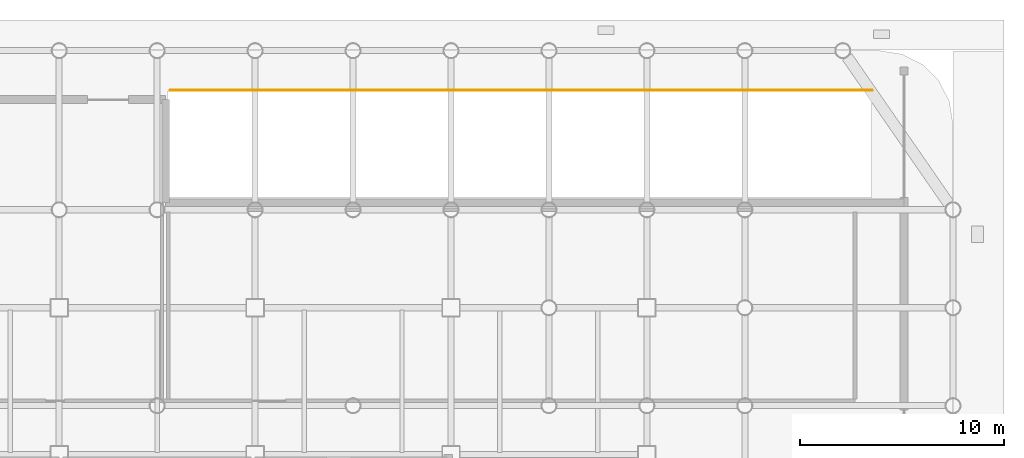
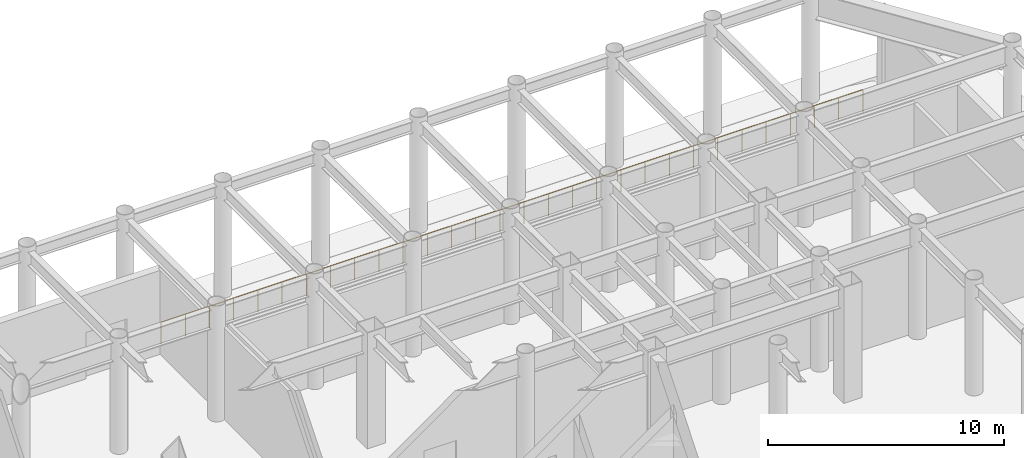
# One storey, part 22 of 23: 1 railing.
"""IFC4 building model written with IfcOpenShell, lengths in metres."""

from ifc_helpers import new_model, si_unit, direction, frame, origin, origin_2d, place, context, subcontext, project, spatial, circle, extrude, material, layer, layer_set, type_object, element, save


model = new_model("IFC4")

# Units and contexts
model_context = context("Model", 3, precision=1e-05, world=origin(), true_north=direction((0.0, 1.0)))
body_context = subcontext(model_context, "Body", "Model", "MODEL_VIEW")
ifc_project = project(units=[si_unit("LENGTHUNIT", "METRE"), si_unit("AREAUNIT", "SQUARE_METRE"), si_unit("VOLUMEUNIT", "CUBIC_METRE"), si_unit("PLANEANGLEUNIT", "RADIAN"), si_unit("MASSUNIT", "GRAM", prefix="KILO")], contexts=[model_context])

# Site, building, storey
site_placement = place(None, origin())
site = spatial("IfcSite", under=ifc_project, at=site_placement, CompositionType="ELEMENT")
building_placement = place(site_placement, origin())
building = spatial("IfcBuilding", under=site, at=building_placement, Name="Kallvorn Hotel Tower", CompositionType="ELEMENT")
storey_placement = place(building_placement, origin())
storey = spatial("IfcBuildingStorey", under=building, at=storey_placement, Name="L00", CompositionType="ELEMENT", Elevation=0.0)

# Railing
ifc_material = material(Name="Galvanised painted steel S275JR balustrade", Category="steel")
ifc_layer = layer(ifc_material, 0.06005859375)
ifc_layer_set = layer_set([ifc_layer], Name="RL_WIND_GUARD_1150")
railing_type = type_object("IfcRailingType", Name="RL_WIND_GUARD_1150", PredefinedType="GUARDRAIL", material=ifc_layer_set)
railing_placement = place(storey_placement, frame((35.050048828125, 25.050048828125, 0.0)))
element("IfcRailing", 1, at=railing_placement, inside=storey, type_object=railing_type, Name="L00 Exterior Safety Guardrail RAMP-OPEN-L00-01", PredefinedType="GUARDRAIL", context=body_context, shape_type="SweptSolid", body=[
    extrude(circle(Radius=0.02392578125, at=origin_2d()), frame((0.0, 0.0, 1.1259765625), z_axis=(-1.0, 0.0, 0.0), x_axis=(0.0, -1.0, 0.0)), (0.0, 0.0, 1.0), 34.400146484375),
    extrude(circle(Radius=0.02099609375, at=origin_2d()), origin(), (0.0, 0.0, 1.0), 1.101806640625),
    extrude(circle(Radius=0.02099609375, at=origin_2d()), frame((-1.186279296875, 0.0, 0.0)), (0.0, 0.0, 1.0), 1.101806640625),
    extrude(circle(Radius=0.02099609375, at=origin_2d()), frame((-2.372314453125, 0.0, 0.0)), (0.0, 0.0, 1.0), 1.101806640625),
    extrude(circle(Radius=0.02099609375, at=origin_2d()), frame((-3.55859375, 0.0, 0.0)), (0.0, 0.0, 1.0), 1.101806640625),
    extrude(circle(Radius=0.02099609375, at=origin_2d()), frame((-4.744873046875, 0.0, 0.0)), (0.0, 0.0, 1.0), 1.101806640625),
    extrude(circle(Radius=0.02099609375, at=origin_2d()), frame((-5.93115234375, 0.0, 0.0)), (0.0, 0.0, 1.0), 1.101806640625),
    extrude(circle(Radius=0.02099609375, at=origin_2d()), frame((-7.1171875, 0.0, 0.0)), (0.0, 0.0, 1.0), 1.101806640625),
    extrude(circle(Radius=0.02099609375, at=origin_2d()), frame((-8.303466796875, 0.0, 0.0)), (0.0, 0.0, 1.0), 1.101806640625),
    extrude(circle(Radius=0.02099609375, at=origin_2d()), frame((-9.48974609375, 0.0, 0.0)), (0.0, 0.0, 1.0), 1.101806640625),
    extrude(circle(Radius=0.02099609375, at=origin_2d()), frame((-10.676025390625, 0.0, 0.0)), (0.0, 0.0, 1.0), 1.101806640625),
    extrude(circle(Radius=0.02099609375, at=origin_2d()), frame((-11.862060546875, 0.0, 0.0)), (0.0, 0.0, 1.0), 1.101806640625),
    extrude(circle(Radius=0.02099609375, at=origin_2d()), frame((-13.04833984375, 0.0, 0.0)), (0.0, 0.0, 1.0), 1.101806640625),
    extrude(circle(Radius=0.02099609375, at=origin_2d()), frame((-14.234619140625, 0.0, 0.0)), (0.0, 0.0, 1.0), 1.101806640625),
    extrude(circle(Radius=0.02099609375, at=origin_2d()), frame((-15.420654296875, 0.0, 0.0)), (0.0, 0.0, 1.0), 1.101806640625),
    extrude(circle(Radius=0.02099609375, at=origin_2d()), frame((-16.60693359375, 0.0, 0.0)), (0.0, 0.0, 1.0), 1.101806640625),
    extrude(circle(Radius=0.02099609375, at=origin_2d()), frame((-17.793212890625, 0.0, 0.0)), (0.0, 0.0, 1.0), 1.101806640625),
    extrude(circle(Radius=0.02099609375, at=origin_2d()), frame((-18.9794921875, 0.0, 0.0)), (0.0, 0.0, 1.0), 1.101806640625),
    extrude(circle(Radius=0.02099609375, at=origin_2d()), frame((-20.16552734375, 0.0, 0.0)), (0.0, 0.0, 1.0), 1.101806640625),
    extrude(circle(Radius=0.02099609375, at=origin_2d()), frame((-21.351806640625, 0.0, 0.0)), (0.0, 0.0, 1.0), 1.101806640625),
    extrude(circle(Radius=0.02099609375, at=origin_2d()), frame((-22.5380859375, 0.0, 0.0)), (0.0, 0.0, 1.0), 1.101806640625),
    extrude(circle(Radius=0.02099609375, at=origin_2d()), frame((-23.72412109375, 0.0, 0.0)), (0.0, 0.0, 1.0), 1.101806640625),
    extrude(circle(Radius=0.02099609375, at=origin_2d()), frame((-24.910400390625, 0.0, 0.0)), (0.0, 0.0, 1.0), 1.101806640625),
    extrude(circle(Radius=0.02099609375, at=origin_2d()), frame((-26.0966796875, 0.0, 0.0)), (0.0, 0.0, 1.0), 1.101806640625),
    extrude(circle(Radius=0.02099609375, at=origin_2d()), frame((-27.282958984375, 0.0, 0.0)), (0.0, 0.0, 1.0), 1.101806640625),
    extrude(circle(Radius=0.02099609375, at=origin_2d()), frame((-28.468994140625, 0.0, 0.0)), (0.0, 0.0, 1.0), 1.101806640625),
    extrude(circle(Radius=0.02099609375, at=origin_2d()), frame((-29.6552734375, 0.0, 0.0)), (0.0, 0.0, 1.0), 1.101806640625),
    extrude(circle(Radius=0.02099609375, at=origin_2d()), frame((-30.841552734375, 0.0, 0.0)), (0.0, 0.0, 1.0), 1.101806640625),
    extrude(circle(Radius=0.02099609375, at=origin_2d()), frame((-32.02783203125, 0.0, 0.0)), (0.0, 0.0, 1.0), 1.101806640625),
    extrude(circle(Radius=0.02099609375, at=origin_2d()), frame((-33.2138671875, 0.0, 0.0)), (0.0, 0.0, 1.0), 1.101806640625),
    extrude(circle(Radius=0.02099609375, at=origin_2d()), frame((-34.400146484375, 0.0, 0.0)), (0.0, 0.0, 1.0), 1.101806640625),
])

save(model, "model.ifc")
